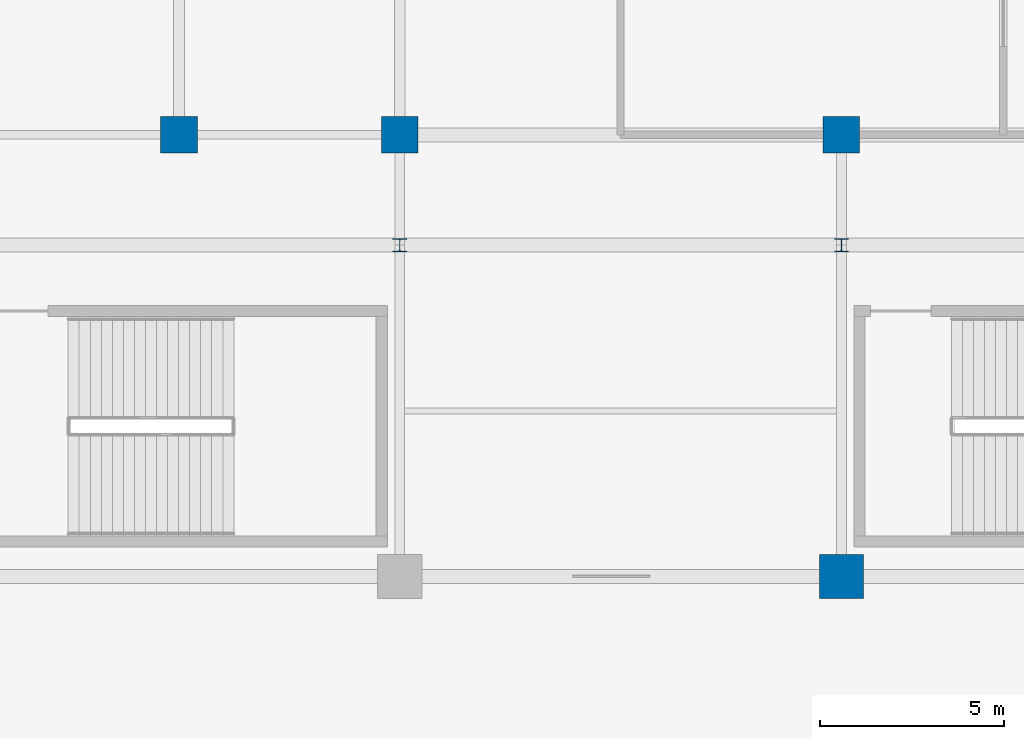
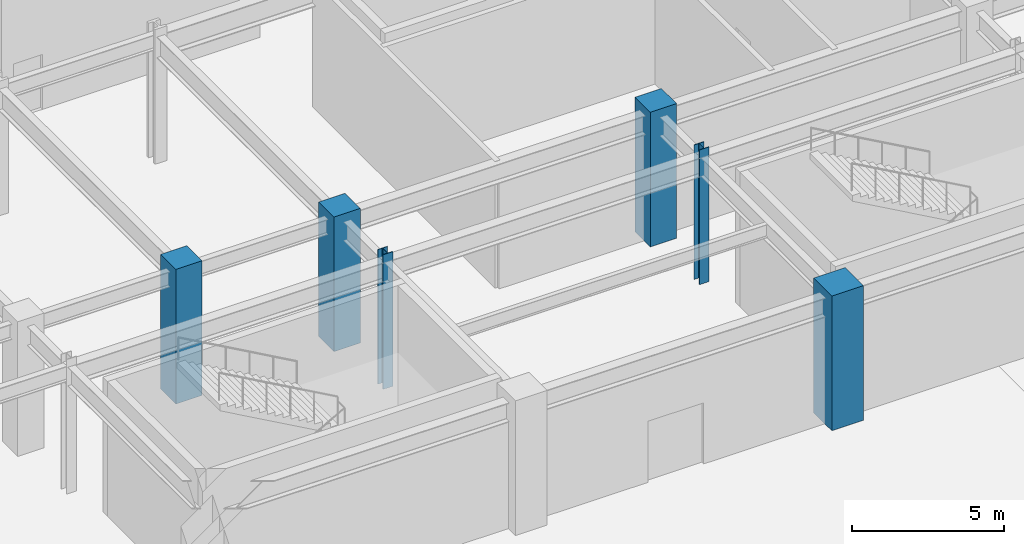
# One storey, part 8 of 100: 6 columns.
"""IFC4 building model written with IfcOpenShell, lengths in metres."""

import ifcopenshell
import ifcopenshell.guid

model = None  # the IFC model being written
_history = None  # IfcOwnerHistory: only IFC2X3 demands one
_inside = {}  # id of a spatial element -> (the spatial element, [elements in it])
_under = {}  # id of a project, library or spatial element -> (it, [spatial elements below it])
_declared = {}  # id of a project -> (the project, [libraries it declares])
_typed = {}  # id of a type object -> (the type object, [elements of that type])
_made_of = {}  # id of a material, layer set ... -> (it, [elements and type objects made of it])


def new_model(schema):
    """Start an empty IFC model of exactly this schema.

    Asked for "IFC4X3", IfcOpenShell would pick the latest addendum, in which some entities
    have other attributes; the version numbers below select the first issue.
    IFC2X3 requires an IfcOwnerHistory on every rooted entity: one is made here for all.
    """
    global model, _history
    if schema == "IFC4X3":
        model = ifcopenshell.file(schema_version=(4, 3, 0, 0))
    else:
        model = ifcopenshell.file(schema=schema)
    _inside.clear()
    _under.clear()
    _declared.clear()
    _typed.clear()
    _made_of.clear()
    _history = None
    if model.schema == "IFC2X3":
        org = make("IfcOrganization", Name="unknown")
        user = make(
            "IfcPersonAndOrganization",
            ThePerson=make("IfcPerson", FamilyName="unknown"),
            TheOrganization=org,
        )
        app = make(
            "IfcApplication",
            ApplicationDeveloper=org,
            Version="unknown",
            ApplicationFullName="unknown",
            ApplicationIdentifier="unknown",
        )
        _history = make(
            "IfcOwnerHistory",
            OwningUser=user,
            OwningApplication=app,
            ChangeAction="ADDED",
            CreationDate=0,
        )
    return model


def make(cls, **values):
    """One entity of the class cls with the attributes given. An attribute that is None is left unset."""
    return model.create_entity(
        cls, **{name: value for name, value in values.items() if value is not None}
    )


def rooted(cls, **values):
    """An entity with a GlobalId (a new one), such as an element, a storey or a relation."""
    return make(cls, GlobalId=ifcopenshell.guid.new(), OwnerHistory=_history, **values)


def si_unit(unit_type, name, prefix=None):
    """IfcSIUnit, for example si_unit("LENGTHUNIT", "METRE", prefix="MILLI")."""
    return make("IfcSIUnit", UnitType=unit_type, Prefix=prefix, Name=name)


def assignment(units):
    """IfcUnitAssignment: the units of a project."""
    return None if units is None else make("IfcUnitAssignment", Units=units)


def point(xyz):
    """IfcCartesianPoint."""
    return None if xyz is None else make("IfcCartesianPoint", Coordinates=xyz)


def direction(xyz):
    """IfcDirection."""
    return None if xyz is None else make("IfcDirection", DirectionRatios=xyz)


def frame(location, z_axis=None, x_axis=None):
    """IfcAxis2Placement3D, a coordinate frame: its origin and axes. An axis left out is left unset."""
    return make(
        "IfcAxis2Placement3D",
        Location=point(location),
        Axis=direction(z_axis),
        RefDirection=direction(x_axis),
    )


def frame_2d(location, x_axis=None):
    """IfcAxis2Placement2D, a coordinate frame in the plane: its origin and x axis."""
    return make(
        "IfcAxis2Placement2D", Location=point(location), RefDirection=direction(x_axis)
    )


def origin():
    """The frame at (0, 0, 0) with its axes left unset."""
    return frame((0.0, 0.0, 0.0))


def origin_2d():
    """The frame at (0, 0) in the plane with its x axis left unset."""
    return frame_2d((0.0, 0.0))


def place(relative_to, where):
    """IfcLocalPlacement: puts the frame where relative to a parent placement (None: the world)."""
    return make(
        "IfcLocalPlacement", PlacementRelTo=relative_to, RelativePlacement=where
    )


def context(
    kind, dimensions, precision=None, world=None, true_north=None, identifier=None
):
    """IfcGeometricRepresentationContext, for example the 3D "Model" context."""
    return make(
        "IfcGeometricRepresentationContext",
        ContextIdentifier=identifier,
        ContextType=kind,
        CoordinateSpaceDimension=dimensions,
        Precision=precision,
        WorldCoordinateSystem=world,
        TrueNorth=true_north,
    )


def subcontext(parent, identifier, kind, view, scale=None):
    """IfcGeometricRepresentationSubContext, for example "Body" below "Model"."""
    return make(
        "IfcGeometricRepresentationSubContext",
        ContextIdentifier=identifier,
        ContextType=kind,
        ParentContext=parent,
        TargetScale=scale,
        TargetView=view,
    )


def project(units=None, contexts=None):
    """IfcProject with its units and contexts."""
    return rooted(
        "IfcProject",
        Name="project",
        RepresentationContexts=contexts,
        UnitsInContext=assignment(units),
    )


def spatial(cls, under=None, at=None, **own):
    """A site, building, storey or space (cls), placed at a placement, below another one or the project."""
    s = rooted(cls, ObjectPlacement=at, **own)
    if under is not None:
        _under.setdefault(under.id(), (under, []))[1].append(s)
    return s


def profile(cls, at=None, kind="AREA", **sizes):
    """A parametric profile (cls). Its sizes go by their IFC names, for example OverallWidth=200.0."""
    return make(cls, ProfileType=kind, Position=at, **sizes)


def rectangle(**sizes):
    """IfcRectangleProfileDef."""
    return profile("IfcRectangleProfileDef", **sizes)


def i_section(**sizes):
    """IfcIShapeProfileDef."""
    return profile("IfcIShapeProfileDef", **sizes)


def extrude(swept, where, along, depth):
    """IfcExtrudedAreaSolid: the profile swept, set in the frame where, extruded along a direction by depth."""
    return make(
        "IfcExtrudedAreaSolid",
        SweptArea=swept,
        Position=where,
        ExtrudedDirection=direction(along),
        Depth=depth,
    )


def shape(context_of_items, identifier, shape_type, items):
    """IfcShapeRepresentation: the items that make up one representation, for example the "Body"."""
    return make(
        "IfcShapeRepresentation",
        ContextOfItems=context_of_items,
        RepresentationIdentifier=identifier,
        RepresentationType=shape_type,
        Items=items,
    )


def material(Name=None, Category=None):
    """IfcMaterial."""
    return make("IfcMaterial", Name=Name, Category=Category)


def material_profile(
    of_material, cross_section, Name=None, Category=None, Priority=None
):
    """IfcMaterialProfile: a cross section and its material."""
    return make(
        "IfcMaterialProfile",
        Name=Name,
        Material=of_material,
        Profile=cross_section,
        Priority=Priority,
        Category=Category,
    )


def profile_set(profiles, Name=None, composite=None):
    """IfcMaterialProfileSet."""
    return make(
        "IfcMaterialProfileSet",
        Name=Name,
        MaterialProfiles=profiles,
        CompositeProfile=composite,
    )


def made_of(thing, what):
    """Note that an element or type object is made of a material, layer set ...; save() writes the relation."""
    if what is not None:
        _made_of.setdefault(what.id(), (what, []))[1].append(thing)
    return thing


def type_object(cls, material=None, **own):
    """A type object (cls), such as IfcWallType, which elements share."""
    return made_of(rooted(cls, **own), material)


def element(
    cls,
    number,
    at=None,
    inside=None,
    cuts=None,
    type_object=None,
    material=None,
    context=None,
    identifier="Body",
    shape_type=None,
    held_by="IfcProductDefinitionShape",
    body=None,
    shapes=None,
    **own,
):
    """One element of the class cls, such as IfcWall. Its Tag is "e" and its number.

    at: its placement. inside: the storey or other place that contains it. cuts: it is an
    opening in that element (IfcRelVoidsElement). A single representation is given by context,
    identifier, shape_type and body (its items); several are given by shapes. held_by: the class
    of the entity that holds the representations. save() writes the other relations.
    """
    e = rooted(cls, Tag="e%d" % number, ObjectPlacement=at, **own)
    if body is not None:
        shapes = [shape(context, identifier, shape_type, body)]
    if shapes is not None:
        e.Representation = make(held_by, Representations=shapes)
    if inside is not None:
        _inside.setdefault(inside.id(), (inside, []))[1].append(e)
    if cuts is not None:
        rooted(
            "IfcRelVoidsElement", RelatingBuildingElement=cuts, RelatedOpeningElement=e
        )
    if type_object is not None:
        _typed.setdefault(type_object.id(), (type_object, []))[1].append(e)
    return made_of(e, material)


def aggregate(whole, parts):
    """IfcRelAggregates: a whole, such as a stair, and the parts it consists of."""
    return rooted("IfcRelAggregates", RelatingObject=whole, RelatedObjects=parts)


def save(model, path):
    """Write the relations noted so far, then the file.

    IfcRelAggregates (storeys below a building ...), IfcRelContainedInSpatialStructure (elements
    in a storey), IfcRelDefinesByType, IfcRelAssociatesMaterial and IfcRelDeclares: one each for
    every whole, place, type object, material and project.
    """
    for whole, parts in _under.values():
        aggregate(whole, parts)
    for where, things in _inside.values():
        rooted(
            "IfcRelContainedInSpatialStructure",
            RelatedElements=things,
            RelatingStructure=where,
        )
    for kind, things in _typed.values():
        rooted("IfcRelDefinesByType", RelatedObjects=things, RelatingType=kind)
    for what, things in _made_of.values():
        rooted("IfcRelAssociatesMaterial", RelatedObjects=things, RelatingMaterial=what)
    for by, libraries in _declared.values():
        rooted("IfcRelDeclares", RelatingContext=by, RelatedDefinitions=libraries)
    model.write(path)


model = new_model("IFC4")

# Units and contexts
model_context = context("Model", 3, precision=1e-05, world=origin(), true_north=direction((0.0, 1.0)))
body_context = subcontext(model_context, "Body", "Model", "MODEL_VIEW")
ifc_project = project(units=[si_unit("LENGTHUNIT", "METRE"), si_unit("AREAUNIT", "SQUARE_METRE"), si_unit("VOLUMEUNIT", "CUBIC_METRE"), si_unit("PLANEANGLEUNIT", "RADIAN"), si_unit("MASSUNIT", "GRAM", prefix="KILO")], contexts=[model_context])

# Site, building, storey
site_placement = place(None, origin())
site = spatial("IfcSite", under=ifc_project, at=site_placement, CompositionType="ELEMENT")
building_placement = place(site_placement, origin())
building = spatial("IfcBuilding", under=site, at=building_placement, Name="Kaldorvane Square Convention Centre", CompositionType="ELEMENT")
storey_placement = place(building_placement, frame((0.0, 0.0, 18.0)))
storey = spatial("IfcBuildingStorey", under=building, at=storey_placement, Name="L03", CompositionType="ELEMENT", Elevation=18.0)

# Columns
ifc_material_1 = material(Name="Concrete f'c = 55 MPa (Normalweight)", Category="concrete")
ifc_material_profile_1 = material_profile(ifc_material_1, rectangle(XDim=1.1999969482421875, YDim=1.1999969482421875, at=origin_2d()), Name="RC1200X1200")
ifc_profile_set_1 = profile_set([ifc_material_profile_1], Name="Concrete f'c = 55 MPa (Normalweight)")
column_type_1 = type_object("IfcColumnType", Name="COL-MEGA-1200", PredefinedType="COLUMN", material=ifc_profile_set_1)
column_placement = place(storey_placement, frame((54.0, 72.0, 0.0), z_axis=(0.0, 0.0, 1.0), x_axis=(1.0, 0.0, 0.0)))
element("IfcColumn", 1, at=column_placement, inside=storey, type_object=column_type_1, Name="Column MC-02 (L03)", PredefinedType="COLUMN", context=body_context, shape_type="SweptSolid", body=[
    extrude(rectangle(XDim=1.1999969482421875, YDim=1.1999969482421875, at=origin_2d()), origin(), (0.0, 0.0, 1.0), 5.399993896484375),
])
ifc_material_profile_2 = material_profile(ifc_material_1, rectangle(XDim=1.0, YDim=1.0, at=origin_2d()), Name="RC1000X1000")
ifc_profile_set_2 = profile_set([ifc_material_profile_2], Name="Concrete f'c = 55 MPa (Normalweight)")
column_type_2 = type_object("IfcColumnType", Name="COL-RC-1000", PredefinedType="COLUMN", material=ifc_profile_set_2)
for number, where, z_axis, x_axis, name in (
    (2, (36.0, 84.0, 0.0), (0.0, 0.0, 1.0), (1.0, 0.0, 0.0), "Column CC-02 (L03)"),
    (3, (42.0, 84.0, 0.0), (0.0, 0.0, 1.0), (1.0, 0.0, 0.0), "Column CC-02 (L03)"),
    (4, (54.0, 84.0, 0.0), (0.0, 0.0, 1.0), (1.0, 0.0, 0.0), "Column CC-02 (L03)"),
):
    element("IfcColumn", number, at=place(storey_placement, frame(where, z_axis=z_axis, x_axis=x_axis)), inside=storey, type_object=column_type_2, Name=name, PredefinedType="COLUMN", context=body_context, shape_type="SweptSolid", body=[
        extrude(rectangle(XDim=1.0, YDim=1.0, at=origin_2d()), origin(), (0.0, 0.0, 1.0), 5.399993896484375),
    ])
ifc_material_2 = material(Name="Steel ASTM A992 Gr. 50", Category="steel")
ifc_material_profile_3 = material_profile(ifc_material_2, i_section(OverallWidth=0.3701019287109375, OverallDepth=0.360198974609375, WebThickness=0.012298583984375, FlangeThickness=0.019805908203125, FilletRadius=0.0305023193359375, at=origin_2d()), Name="W14X99")
ifc_profile_set_3 = profile_set([ifc_material_profile_3], Name="Steel ASTM A992 Gr. 50")
column_type_3 = type_object("IfcColumnType", Name="COL-STL-99", PredefinedType="COLUMN", material=ifc_profile_set_3)
for number, where, z_axis, x_axis, name in (
    (5, (42.0, 81.0, 0.0), (0.0, 0.0, 1.0), (1.0, 0.0, 0.0), "Column SC-12 (L03)"),
    (6, (54.0, 81.0, 0.0), (0.0, 0.0, 1.0), (1.0, 0.0, 0.0), "Column SC-12 (L03)"),
):
    element("IfcColumn", number, at=place(storey_placement, frame(where, z_axis=z_axis, x_axis=x_axis)), inside=storey, type_object=column_type_3, Name=name, PredefinedType="COLUMN", context=body_context, shape_type="SweptSolid", body=[
        extrude(i_section(OverallWidth=0.3701019287109375, OverallDepth=0.360198974609375, WebThickness=0.012298583984375, FlangeThickness=0.019805908203125, FilletRadius=0.0305023193359375, at=origin_2d()), origin(), (0.0, 0.0, 1.0), 5.399993896484375),
    ])

save(model, "model.ifc")
